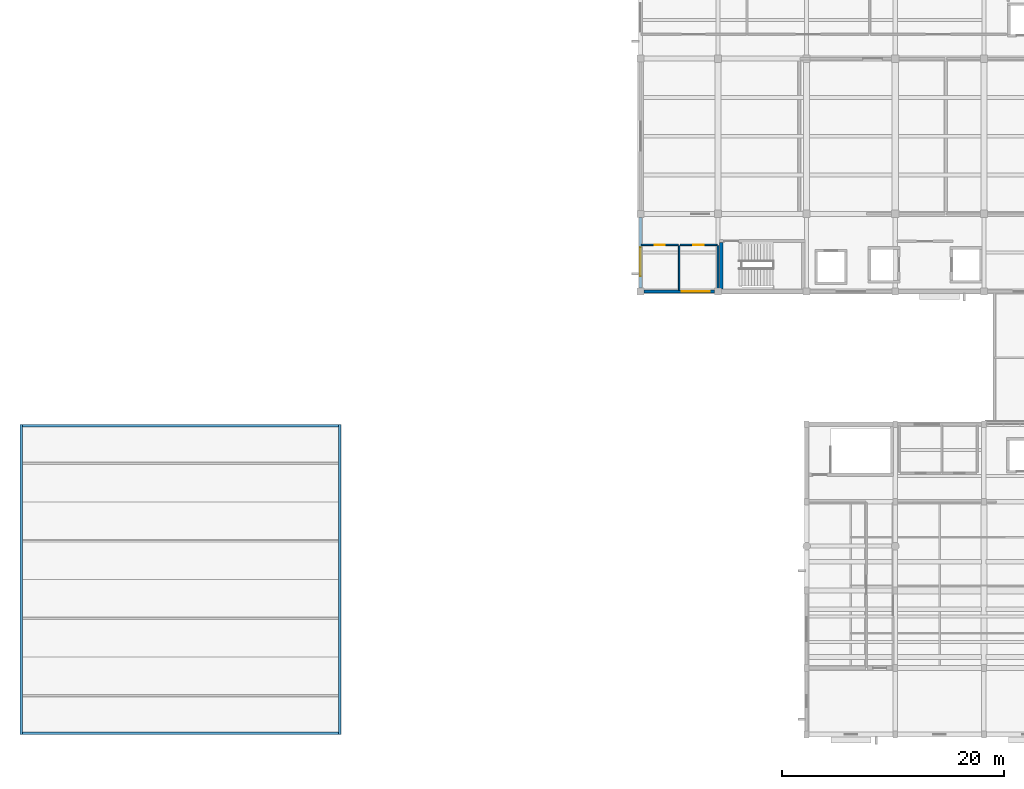
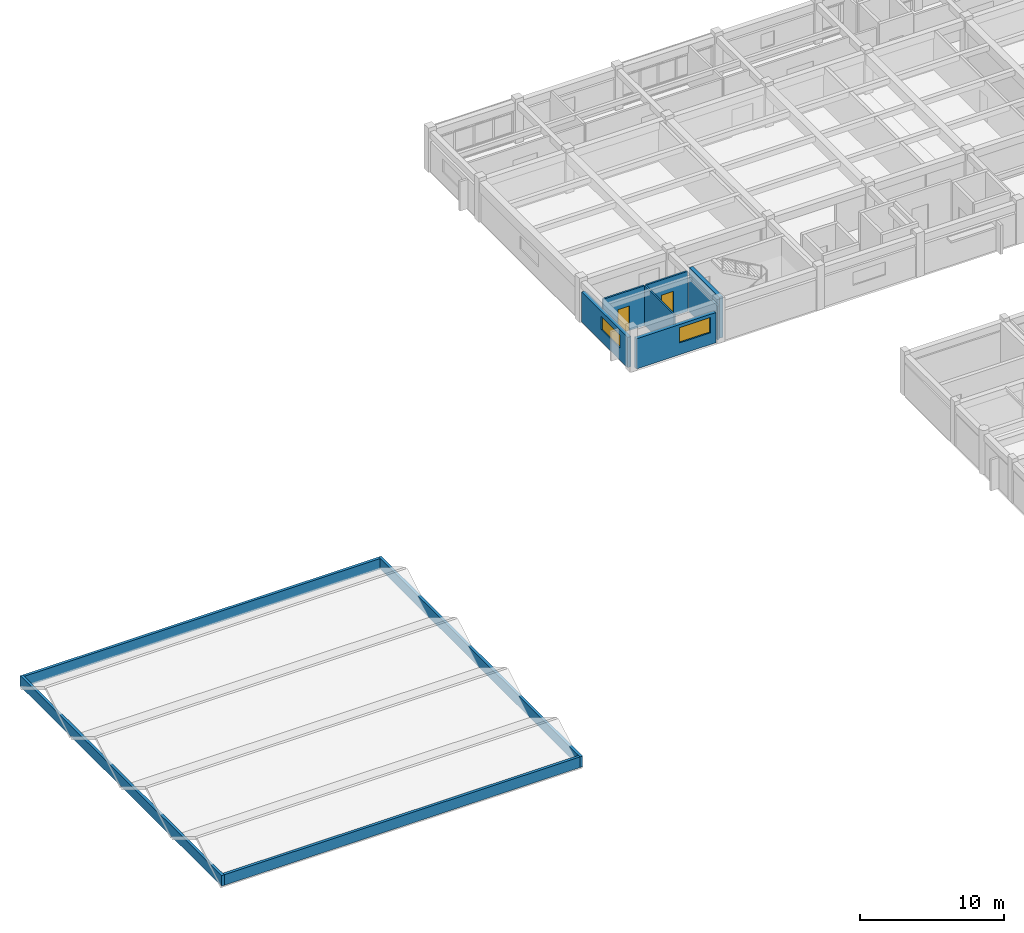
# One storey, part 21 of 33: 11 walls, 2 doors, 2 windows, 4 openings.
"""IFC4 building model written with IfcOpenShell, lengths in metres."""

from ifc_helpers import new_model, si_unit, direction, frame, frame_2d, origin, place, context, subcontext, project, spatial, rectangle, extrude, material, layer, layer_set, type_object, element, fill, save


model = new_model("IFC4")

# Units and contexts
model_context = context("Model", 3, precision=1e-05, world=origin(), true_north=direction((0.0, 1.0)))
body_context = subcontext(model_context, "Body", "Model", "MODEL_VIEW")
ifc_project = project(units=[si_unit("LENGTHUNIT", "METRE"), si_unit("AREAUNIT", "SQUARE_METRE"), si_unit("VOLUMEUNIT", "CUBIC_METRE"), si_unit("PLANEANGLEUNIT", "RADIAN"), si_unit("MASSUNIT", "GRAM", prefix="KILO")], contexts=[model_context])

# Site, building, storey
site_placement = place(None, origin())
site = spatial("IfcSite", under=ifc_project, at=site_placement, CompositionType="ELEMENT")
building_placement = place(site_placement, origin())
building = spatial("IfcBuilding", under=site, at=building_placement, Name="Naurynzar Civic Courthouse", CompositionType="ELEMENT")
storey_placement = place(building_placement, frame((0.0, 0.0, 22.050048828125)))
storey = spatial("IfcBuildingStorey", under=building, at=storey_placement, Name="L06", CompositionType="ELEMENT", Elevation=22.050048828125)

# Wall
ifc_material_1 = material(Name="Concrete C40/50", Category="concrete")
ifc_layer_1 = layer(ifc_material_1, 0.300048828125)
ifc_layer_set_1 = layer_set([ifc_layer_1], Name="WL-CORE-300")
wall_type_1 = type_object("IfcWallType", Name="WL-CORE-300", PredefinedType="SHEAR", material=ifc_layer_set_1)
wall_1_placement = place(storey_placement, frame((69.300048828125, 48.39501953125, 0.0), z_axis=(0.0, 0.0, 1.0), x_axis=(0.0, -1.0, 0.0)))
element("IfcWall", 1, at=wall_1_placement, inside=storey, type_object=wall_type_1, Name="Stair ST-V2A enclosure wall west L06", PredefinedType="SHEAR", context=body_context, shape_type="SweptSolid", body=[
    extrude(rectangle(XDim=4.199951171875, YDim=0.300048828125, at=frame_2d((2.10009765625, 0.0))), origin(), (0.0, 0.0, 1.0), 3.469970703125),
])

# Wall, opening, window
ifc_material_2 = material(Name="Precast concrete C40/50", Category="concrete")
ifc_layer_2 = layer(ifc_material_2, 0.280029296875)
ifc_layer_set_2 = layer_set([ifc_layer_2], Name="WL-EXT-280")
wall_type_2 = type_object("IfcWallType", Name="WL-EXT-280", PredefinedType="SOLIDWALL", material=ifc_layer_set_2)
wall_2_placement = place(storey_placement, frame((62.0, 44.3125, 0.0), z_axis=(0.0, 0.0, 1.0), x_axis=(0.0, 1.0, 0.0)))
wall_2 = element("IfcWall", 2, at=wall_2_placement, inside=storey, type_object=wall_type_2, Name="V2 exterior wall west L06.1.1", PredefinedType="SOLIDWALL", context=body_context, shape_type="SweptSolid", body=[
    extrude(rectangle(XDim=6.375, YDim=0.280029296875, at=frame_2d((3.1875, 0.0))), origin(), (0.0, 0.0, 1.0), 2.56005859375),
])
opening_1_placement = place(wall_2_placement, frame((1.068115234375, 0.0, 1.0)))
opening_1 = element("IfcOpeningElement", 3, at=opening_1_placement, cuts=wall_2, Name="Opening WN-17", PredefinedType="OPENING", context=body_context, shape_type="SweptSolid", body=[
    extrude(rectangle(XDim=2.60009765625, YDim=1.10009765625, at=frame_2d((1.300048828125, 0.550048828125))), frame((0.0, 0.14990234375, 0.0), z_axis=(0.0, -1.0, 0.0), x_axis=(1.0, 0.0, 0.0)), (0.0, 0.0, 1.0), 0.300048828125),
])
ifc_material_3 = material(Name="Tempered Laminated Low-E Glass", Category="glass")
window_type_1 = type_object("IfcWindowType", Name="WIN-CLER-2600x1100", PartitioningType="DOUBLE_PANEL_VERTICAL", PredefinedType="WINDOW", material=ifc_material_3)
window_1_placement = place(opening_1_placement, origin())
window_1 = element("IfcWindow", 4, at=window_1_placement, inside=storey, type_object=window_type_1, Name="V2 window 92 L06", OverallHeight=1.10009765625, OverallWidth=2.60009765625, PartitioningType="SINGLE_PANEL", PredefinedType="WINDOW", context=body_context, shape_type="SweptSolid", body=[
    extrude(rectangle(XDim=2.60009765625, YDim=1.10009765625, at=frame_2d((1.300048828125, 0.550048828125))), frame((0.0, 0.030029296875, 0.0), z_axis=(0.0, -1.0, 0.0), x_axis=(1.0, 0.0, 0.0)), (0.0, 0.0, 1.0), 0.06005859375),
])
fill(opening_1, window_1)

wall_3_placement = place(storey_placement, frame((68.6875, 44.0, 0.0), z_axis=(0.0, 0.0, 1.0), x_axis=(-1.0, 0.0, 0.0)))
wall_3 = element("IfcWall", 5, at=wall_3_placement, inside=storey, type_object=wall_type_2, Name="V2 exterior wall south L06.8.1", PredefinedType="SOLIDWALL", context=body_context, shape_type="SweptSolid", body=[
    extrude(rectangle(XDim=6.375, YDim=0.280029296875, at=frame_2d((3.1875, 0.0))), origin(), (0.0, 0.0, 1.0), 2.56005859375),
])
opening_2_placement = place(wall_3_placement, frame((0.444091796875, 0.0, 1.0)))
opening_2 = element("IfcOpeningElement", 6, at=opening_2_placement, cuts=wall_3, Name="Opening WM-21", PredefinedType="OPENING", context=body_context, shape_type="SweptSolid", body=[
    extrude(rectangle(XDim=2.5, YDim=1.300048828125, at=frame_2d((1.25, 0.64990234375))), frame((0.0, 0.14990234375, 0.0), z_axis=(0.0, -1.0, 0.0), x_axis=(1.0, 0.0, 0.0)), (0.0, 0.0, 1.0), 0.300048828125),
])
ifc_material_4 = material(Name="Tempered Laminated Low-E Glass", Category="glass")
window_type_2 = type_object("IfcWindowType", Name="WIN-MOD-2500x1300", PartitioningType="DOUBLE_PANEL_VERTICAL", PredefinedType="WINDOW", material=ifc_material_4)
window_2_placement = place(opening_2_placement, origin())
window_2 = element("IfcWindow", 7, at=window_2_placement, inside=storey, type_object=window_type_2, Name="V2 window 105 L06", OverallHeight=1.300048828125, OverallWidth=2.5, PartitioningType="SINGLE_PANEL", PredefinedType="WINDOW", context=body_context, shape_type="SweptSolid", body=[
    extrude(rectangle(XDim=2.5, YDim=1.300048828125, at=frame_2d((1.25, 0.64990234375))), frame((0.0, 0.030029296875, 0.0), z_axis=(0.0, -1.0, 0.0), x_axis=(1.0, 0.0, 0.0)), (0.0, 0.0, 1.0), 0.06005859375),
])
fill(opening_2, window_2)

# Walls
ifc_material_5 = material(Name="Precast concrete C40/50", Category="concrete")
ifc_layer_3 = layer(ifc_material_5, 0.219970703125)
ifc_layer_set_3 = layer_set([ifc_layer_3], Name="WL-PARA-220")
wall_type_3 = type_object("IfcWallType", Name="WL-PARA-220", PredefinedType="PARAPET", material=ifc_layer_set_3)
for number, where, z_axis, x_axis, name in (
    (8, (6.1201171875, 4.010009765625, 0.0), (0.0, 0.0, 1.0), (0.0, 1.0, 0.0), "Roof perimeter parapet V4-RF.34"),
    (9, (34.8798828125, 31.989990234375, 0.0), (0.0, 0.0, 1.0), (0.0, -1.0, 0.0), "Roof perimeter parapet V4-RF.35"),
):
    element("IfcWall", number, at=place(storey_placement, frame(where, z_axis=z_axis, x_axis=x_axis)), inside=storey, type_object=wall_type_3, Name=name, PredefinedType="PARAPET", context=body_context, shape_type="SweptSolid", body=[
        extrude(rectangle(XDim=27.97998046875, YDim=0.219970703125, at=frame_2d((13.989990234375, 0.0))), origin(), (0.0, 0.0, 1.0), 0.89990234375),
    ])
for number, where, z_axis, x_axis, name in (
    (10, (6.22998046875, 31.8798828125, 0.0), (0.0, 0.0, 1.0), (1.0, 0.0, 0.0), "Roof perimeter parapet V4-RF.36"),
    (11, (34.77001953125, 4.1201171875, 0.0), (0.0, 0.0, 1.0), (-1.0, 0.0, 0.0), "Roof perimeter parapet V4-RF.37"),
):
    element("IfcWall", number, at=place(storey_placement, frame(where, z_axis=z_axis, x_axis=x_axis)), inside=storey, type_object=wall_type_3, Name=name, PredefinedType="PARAPET", context=body_context, shape_type="SweptSolid", body=[
        extrude(rectangle(XDim=28.5400390625, YDim=0.219970703125, at=frame_2d((14.27001953125, 0.0))), origin(), (0.0, 0.0, 1.0), 0.89990234375),
    ])

# Wall, opening, door
ifc_material_6 = material(Name="Moisture-Resistant Plumbing Partition")
ifc_layer_4 = layer(ifc_material_6, 0.139892578125)
ifc_layer_set_4 = layer_set([ifc_layer_4], Name="WL-PART-WC-140")
wall_type_4 = type_object("IfcWallType", Name="WL-PART-WC-140", PredefinedType="PLUMBINGWALL", material=ifc_layer_set_4)
wall_4_placement = place(storey_placement, frame((62.080078125, 48.199951171875, 0.0), z_axis=(0.0, 0.0, 1.0), x_axis=(1.0, 0.0, 0.0)))
wall_4 = element("IfcWall", 12, at=wall_4_placement, inside=storey, type_object=wall_type_4, Name="V2 interior partition L06.667", PredefinedType="PLUMBINGWALL", context=body_context, shape_type="SweptSolid", body=[
    extrude(rectangle(XDim=3.33984375, YDim=0.139892578125, at=frame_2d((1.669921875, 0.0))), origin(), (0.0, 0.0, 1.0), 3.389892578125),
])
opening_3_placement = place(wall_4_placement, frame((1.2099609375, 0.0, 0.0)))
opening_3 = element("IfcOpeningElement", 13, at=opening_3_placement, cuts=wall_4, Name="Opening D-163", PredefinedType="OPENING", context=body_context, shape_type="SweptSolid", body=[
    extrude(rectangle(XDim=0.919921875, YDim=2.10009765625, at=frame_2d((0.4599609375, 1.050048828125))), frame((0.0, 0.079833984375, 0.0), z_axis=(0.0, -1.0, 0.0), x_axis=(1.0, 0.0, 0.0)), (0.0, 0.0, 1.0), 0.159912109375),
])
ifc_material_7 = material(Name="Acoustic Oak Timber Grade A", Category="wood")
door_type_1 = type_object("IfcDoorType", Name="DR-WC-STD-920x2100", OperationType="NOTDEFINED", PredefinedType="DOOR", material=ifc_material_7)
door_1_placement = place(opening_3_placement, origin())
door_1 = element("IfcDoor", 14, at=door_1_placement, inside=storey, type_object=door_type_1, Name="Interior door D-163 (Public WC V2)", OperationType="SINGLE_SWING_LEFT", OverallHeight=2.10009765625, OverallWidth=0.919921875, PredefinedType="DOOR", context=body_context, shape_type="SweptSolid", body=[
    extrude(rectangle(XDim=0.919921875, YDim=2.10009765625, at=frame_2d((0.4599609375, 1.050048828125))), frame((0.0, 0.02490234375, 0.0), z_axis=(0.0, -1.0, 0.0), x_axis=(1.0, 0.0, 0.0)), (0.0, 0.0, 1.0), 0.050048828125),
])
fill(opening_3, door_1)

wall_5_placement = place(storey_placement, frame((65.580078125, 48.199951171875, 0.0), z_axis=(0.0, 0.0, 1.0), x_axis=(1.0, 0.0, 0.0)))
wall_5 = element("IfcWall", 15, at=wall_5_placement, inside=storey, type_object=wall_type_4, Name="V2 interior partition L06.668", PredefinedType="PLUMBINGWALL", context=body_context, shape_type="SweptSolid", body=[
    extrude(rectangle(XDim=3.33984375, YDim=0.139892578125, at=frame_2d((1.669921875, 0.0))), origin(), (0.0, 0.0, 1.0), 3.389892578125),
])
opening_4_placement = place(wall_5_placement, frame((1.18994140625, 0.0, 0.0)))
opening_4 = element("IfcOpeningElement", 16, at=opening_4_placement, cuts=wall_5, Name="Opening D-164", PredefinedType="OPENING", context=body_context, shape_type="SweptSolid", body=[
    extrude(rectangle(XDim=0.9599609375, YDim=2.10009765625, at=frame_2d((0.47998046875, 1.050048828125))), frame((0.0, 0.079833984375, 0.0), z_axis=(0.0, -1.0, 0.0), x_axis=(1.0, 0.0, 0.0)), (0.0, 0.0, 1.0), 0.159912109375),
])
ifc_material_8 = material(Name="Acoustic Oak Timber Grade A", Category="wood")
door_type_2 = type_object("IfcDoorType", Name="DR-WC-ACC-960x2100", OperationType="NOTDEFINED", PredefinedType="DOOR", material=ifc_material_8)
door_2_placement = place(opening_4_placement, origin())
door_2 = element("IfcDoor", 17, at=door_2_placement, inside=storey, type_object=door_type_2, Name="Interior door D-164 (Accessible WC V2)", OperationType="SINGLE_SWING_RIGHT", OverallHeight=2.10009765625, OverallWidth=0.9599609375, PredefinedType="DOOR", context=body_context, shape_type="SweptSolid", body=[
    extrude(rectangle(XDim=0.9599609375, YDim=2.10009765625, at=frame_2d((0.47998046875, 1.050048828125))), frame((0.0, 0.02490234375, 0.0), z_axis=(0.0, -1.0, 0.0), x_axis=(1.0, 0.0, 0.0)), (0.0, 0.0, 1.0), 0.050048828125),
])
fill(opening_4, door_2)

# Walls
wall_6_placement = place(storey_placement, frame((65.5, 44.080078125, 0.0), z_axis=(0.0, 0.0, 1.0), x_axis=(0.0, 1.0, 0.0)))
element("IfcWall", 18, at=wall_6_placement, inside=storey, type_object=wall_type_4, Name="V2 interior partition L06.689", PredefinedType="PLUMBINGWALL", context=body_context, shape_type="SweptSolid", body=[
    extrude(rectangle(XDim=4.0400390625, YDim=0.139892578125, at=frame_2d((2.02001953125, 0.0))), origin(), (0.0, 0.0, 1.0), 3.389892578125),
])
wall_7_placement = place(storey_placement, frame((69.0, 44.080078125, 0.0), z_axis=(0.0, 0.0, 1.0), x_axis=(0.0, 1.0, 0.0)))
element("IfcWall", 19, at=wall_7_placement, inside=storey, type_object=wall_type_4, Name="V2 interior partition L06.690", PredefinedType="PLUMBINGWALL", context=body_context, shape_type="SweptSolid", body=[
    extrude(rectangle(XDim=4.0400390625, YDim=0.139892578125, at=frame_2d((2.02001953125, 0.0))), origin(), (0.0, 0.0, 1.0), 2.8798828125),
])

save(model, "model.ifc")
